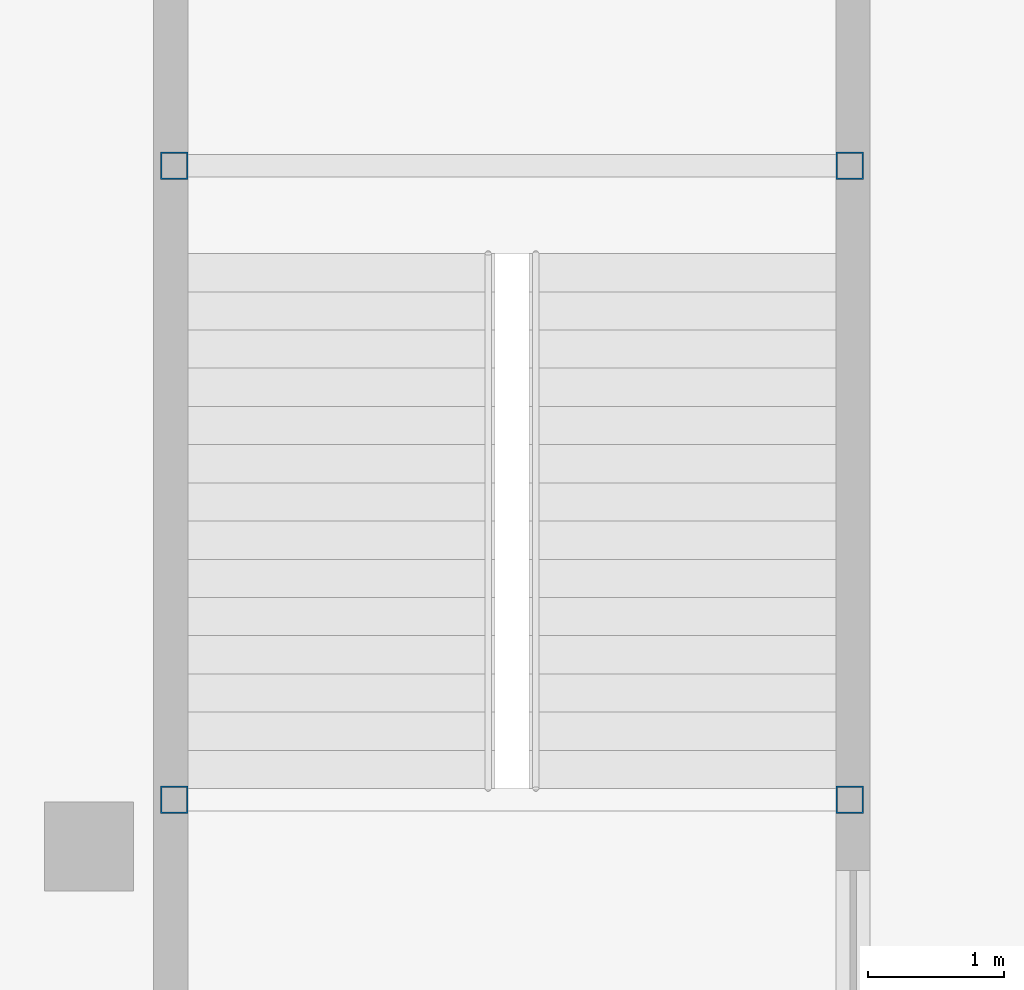
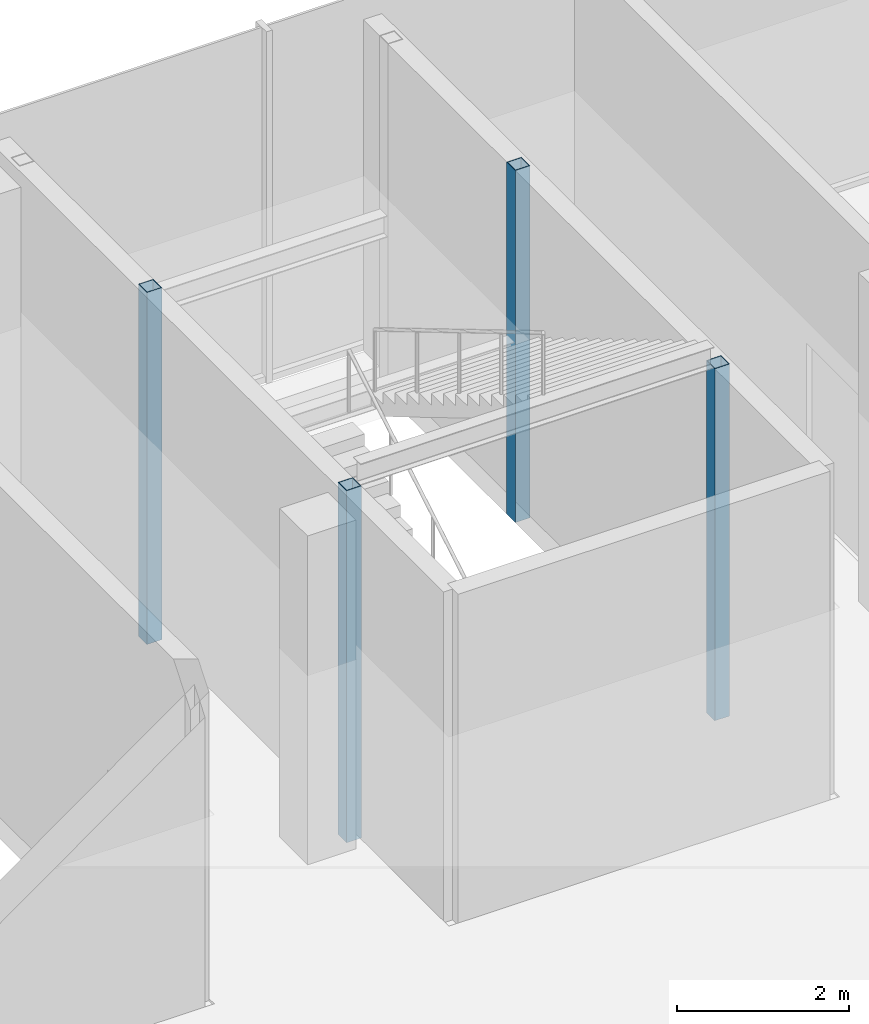
# One storey, part 6 of 33: 4 columns.
"""IFC4 building model written with IfcOpenShell, lengths in metres."""

from ifc_helpers import new_model, si_unit, direction, frame, origin, origin_2d, place, context, subcontext, project, spatial, hollow_rectangle, extrude, material, material_profile, profile_set, type_object, element, save


model = new_model("IFC4")

# Units and contexts
model_context = context("Model", 3, precision=1e-05, world=origin(), true_north=direction((0.0, 1.0)))
body_context = subcontext(model_context, "Body", "Model", "MODEL_VIEW")
ifc_project = project(units=[si_unit("LENGTHUNIT", "METRE"), si_unit("AREAUNIT", "SQUARE_METRE"), si_unit("VOLUMEUNIT", "CUBIC_METRE"), si_unit("PLANEANGLEUNIT", "RADIAN"), si_unit("MASSUNIT", "GRAM", prefix="KILO")], contexts=[model_context])

# Site, building, storey
site_placement = place(None, origin())
site = spatial("IfcSite", under=ifc_project, at=site_placement, CompositionType="ELEMENT")
building_placement = place(site_placement, origin())
building = spatial("IfcBuilding", under=site, at=building_placement, Name="Dunama Terrace Hotel", CompositionType="ELEMENT")
storey_placement = place(building_placement, frame((0.0, 0.0, 12.0)))
storey = spatial("IfcBuildingStorey", under=building, at=storey_placement, Name="L02", CompositionType="ELEMENT", Elevation=12.0)

# Columns
ifc_material = material(Name="Steel S355", Category="steel")
ifc_material_profile = material_profile(ifc_material, hollow_rectangle(XDim=0.199951171875, YDim=0.199951171875, WallThickness=0.010009765625, at=origin_2d()), Name="SHS 200x200x10")
ifc_profile_set = profile_set([ifc_material_profile], Name="Steel S355")
column_type = type_object("IfcColumnType", Name="Stair post SHS 200x200x10", PredefinedType="COLUMN", material=ifc_profile_set)
for number, where, z_axis, x_axis, name in (
    (1, (-7.77490234375, 50.742431640625, -0.300048828125), (0.0, 0.0, 1.0), (1.0, 0.0, 0.0), "Stair post P3 L02 -7.78/+50.74"),
    (2, (-2.824951171875, 50.742431640625, -0.300048828125), (0.0, 0.0, 1.0), (1.0, 0.0, 0.0), "Stair post P3 L02 -2.83/+50.74"),
    (3, (-7.77490234375, 55.387451171875, -0.300048828125), (0.0, 0.0, 1.0), (1.0, 0.0, 0.0), "Stair post P3 L02 -7.78/+55.39"),
    (4, (-2.824951171875, 55.387451171875, -0.300048828125), (0.0, 0.0, 1.0), (1.0, 0.0, 0.0), "Stair post P3 L02 -2.83/+55.39"),
):
    element("IfcColumn", number, at=place(storey_placement, frame(where, z_axis=z_axis, x_axis=x_axis)), inside=storey, type_object=column_type, Name=name, PredefinedType="COLUMN", context=body_context, shape_type="SweptSolid", body=[
        extrude(hollow_rectangle(XDim=0.199951171875, YDim=0.199951171875, WallThickness=0.010009765625, at=origin_2d()), origin(), (0.0, 0.0, 1.0), 5.0),
    ])

save(model, "model.ifc")
